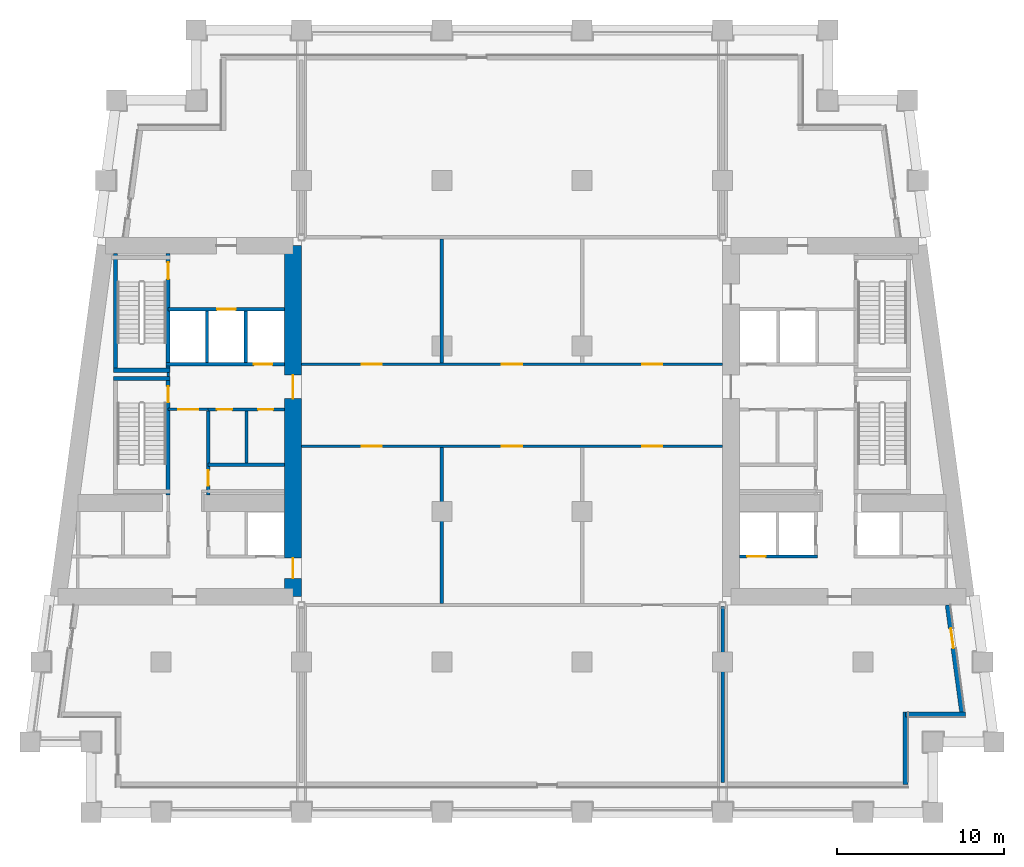
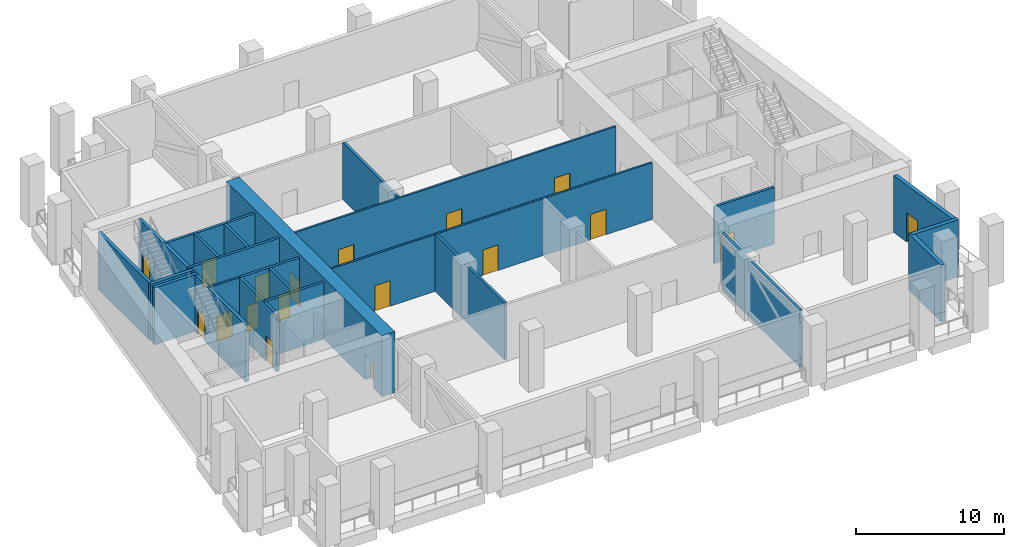
# One storey, part 5 of 11: 25 walls, 18 doors, 18 openings.
"""IFC4 building model written with IfcOpenShell, lengths in metres."""

from ifc_helpers import new_model, si_unit, direction, frame, frame_2d, origin, place, context, subcontext, project, spatial, rectangle, extrude, material, layer, layer_set, type_object, element, fill, save


model = new_model("IFC4")

# Units and contexts
model_context = context("Model", 3, precision=1e-05, world=origin(), true_north=direction((0.0, 1.0)))
body_context = subcontext(model_context, "Body", "Model", "MODEL_VIEW")
ifc_project = project(units=[si_unit("LENGTHUNIT", "METRE"), si_unit("AREAUNIT", "SQUARE_METRE"), si_unit("VOLUMEUNIT", "CUBIC_METRE"), si_unit("PLANEANGLEUNIT", "RADIAN"), si_unit("MASSUNIT", "GRAM", prefix="KILO")], contexts=[model_context])

# Site, building, storey
site_placement = place(None, origin())
site = spatial("IfcSite", under=ifc_project, at=site_placement, CompositionType="ELEMENT")
building_placement = place(site_placement, origin())
building = spatial("IfcBuilding", under=site, at=building_placement, Name="Candeia Pilgrim Tower and Theatre", CompositionType="ELEMENT")
storey_placement = place(building_placement, frame((0.0, 0.0, 142.800048828125)))
storey = spatial("IfcBuildingStorey", under=building, at=storey_placement, Name="L33", CompositionType="ELEMENT", Elevation=142.800048828125)

# Wall, openings, doors
ifc_material_1 = material(Name="Concrete C70/85", Category="concrete")
ifc_layer_1 = layer(ifc_material_1, 1.0)
ifc_layer_set_1 = layer_set([ifc_layer_1], Name="Core wall 1000 C70/85")
wall_type_1 = type_object("IfcWallType", Name="Core wall 1000 C70/85", PredefinedType="SHEAR", material=ifc_layer_set_1)
wall_1_placement = place(storey_placement, frame((100.300048828125, 131.89990234375, 0.0), z_axis=(0.0, 0.0, 1.0), x_axis=(0.0, -1.0, 0.0)))
wall_1 = element("IfcWall", 1, at=wall_1_placement, inside=storey, type_object=wall_type_1, Name="Core wall W2", PredefinedType="SHEAR", context=body_context, shape_type="SweptSolid", body=[
    extrude(rectangle(XDim=21.0, YDim=1.0, at=frame_2d((10.5, 0.0))), origin(), (0.0, 0.0, 1.0), 5.0),
])
opening_1_placement = place(wall_1_placement, frame((18.699951171875, 0.0, 0.0)))
opening_1 = element("IfcOpeningElement", 2, at=opening_1_placement, cuts=wall_1, Name="Opening L33-D029", PredefinedType="OPENING", context=body_context, shape_type="SweptSolid", body=[
    extrude(rectangle(XDim=1.199951171875, YDim=2.10009765625, at=frame_2d((0.60009765625, 1.050048828125))), frame((0.0, 0.510009765625, 0.0), z_axis=(0.0, -1.0, 0.0), x_axis=(1.0, 0.0, 0.0)), (0.0, 0.0, 1.0), 1.02001953125),
])
opening_2_placement = place(wall_1_placement, frame((7.75, 0.0, 0.0)))
opening_2 = element("IfcOpeningElement", 3, at=opening_2_placement, cuts=wall_1, Name="Opening L33-D031", PredefinedType="OPENING", context=body_context, shape_type="SweptSolid", body=[
    extrude(rectangle(XDim=1.39990234375, YDim=2.10009765625, at=frame_2d((0.699951171875, 1.050048828125))), frame((0.0, 0.510009765625, 0.0), z_axis=(0.0, -1.0, 0.0), x_axis=(1.0, 0.0, 0.0)), (0.0, 0.0, 1.0), 1.02001953125),
])
ifc_material_2 = material(Name="Steel fire door set", Category="steel")
door_type_1 = type_object("IfcDoorType", Name="D-1200-FD60", OperationType="NOTDEFINED", PredefinedType="DOOR", material=ifc_material_2)
door_1_placement = place(opening_1_placement, origin())
door_1 = element("IfcDoor", 4, at=door_1_placement, inside=storey, type_object=door_type_1, Name="Door L33-D029", OperationType="SINGLE_SWING_RIGHT", OverallHeight=2.10009765625, OverallWidth=1.199951171875, PredefinedType="DOOR", context=body_context, shape_type="SweptSolid", body=[
    extrude(rectangle(XDim=1.199951171875, YDim=2.10009765625, at=frame_2d((0.60009765625, 1.050048828125))), frame((0.0, 0.02490234375, 0.0), z_axis=(0.0, -1.0, 0.0), x_axis=(1.0, 0.0, 0.0)), (0.0, 0.0, 1.0), 0.050048828125),
])
fill(opening_1, door_1)
door_type_2 = type_object("IfcDoorType", Name="D-1400-FD60", OperationType="NOTDEFINED", PredefinedType="DOOR", material=ifc_material_2)
door_2_placement = place(opening_2_placement, origin())
door_2 = element("IfcDoor", 5, at=door_2_placement, inside=storey, type_object=door_type_2, Name="Door L33-D031", OperationType="SINGLE_SWING_RIGHT", OverallHeight=2.10009765625, OverallWidth=1.39990234375, PredefinedType="DOOR", context=body_context, shape_type="SweptSolid", body=[
    extrude(rectangle(XDim=1.39990234375, YDim=2.10009765625, at=frame_2d((0.699951171875, 1.050048828125))), frame((0.0, 0.02490234375, 0.0), z_axis=(0.0, -1.0, 0.0), x_axis=(1.0, 0.0, 0.0)), (0.0, 0.0, 1.0), 0.050048828125),
])
fill(opening_2, door_2)

# Walls
ifc_material_3 = material(Name="Ceramic block masonry", Category="masonry")
ifc_layer_2 = layer(ifc_material_3, 0.300048828125)
ifc_layer_set_2 = layer_set([ifc_layer_2], Name="EW1 glazing-line wall 300")
wall_type_2 = type_object("IfcWallType", Name="EW1 glazing-line wall 300", PredefinedType="SOLIDWALL", material=ifc_layer_set_2)
wall_2_placement = place(storey_placement, frame((136.949951171875, 99.64990234375, 0.0), z_axis=(0.0, 0.0, 1.0), x_axis=(0.0, 1.0, 0.0)))
element("IfcWall", 6, at=wall_2_placement, inside=storey, type_object=wall_type_2, Name="External wall L33-1.0", PredefinedType="SOLIDWALL", context=body_context, shape_type="SweptSolid", body=[
    extrude(rectangle(XDim=4.35009765625, YDim=0.300048828125, at=frame_2d((2.175048828125, 0.0))), origin(), (0.0, 0.0, 1.0), 4.679931640625),
])
wall_3_placement = place(storey_placement, frame((136.949951171875, 103.85009765625, 0.0), z_axis=(0.0, 0.0, 1.0), x_axis=(1.0, 0.0, 0.0)))
element("IfcWall", 7, at=wall_3_placement, inside=storey, type_object=wall_type_2, Name="External wall L33-2.0", PredefinedType="SOLIDWALL", context=body_context, shape_type="SweptSolid", body=[
    extrude(rectangle(XDim=3.569091796875, YDim=0.300048828125, at=frame_2d((1.78466796875, 0.0))), origin(), (0.0, 0.0, 1.0), 4.679931640625),
])

# Wall, opening, door
wall_4_placement = place(storey_placement, frame((140.34765625, 103.85009765625, 0.0), z_axis=(0.0, 0.0, 1.0), x_axis=(-0.133431549479, 0.991058031401, 0.0)))
wall_4 = element("IfcWall", 8, at=wall_4_placement, inside=storey, type_object=wall_type_2, Name="External wall L33-3.0", PredefinedType="SOLIDWALL", context=body_context, shape_type="SweptSolid", body=[
    extrude(rectangle(XDim=6.60888671875, YDim=0.300048828125, at=frame_2d((3.304443359375, 0.0))), origin(), (0.0, 0.0, 1.0), 4.679931640625),
])
opening_3_placement = place(wall_4_placement, frame((3.990966796875, 0.0, 0.0)))
opening_3 = element("IfcOpeningElement", 9, at=opening_3_placement, cuts=wall_4, Name="Opening L33-ED320", PredefinedType="OPENING", context=body_context, shape_type="SweptSolid", body=[
    extrude(rectangle(XDim=1.199951171875, YDim=2.39990234375, at=frame_2d((0.60009765625, 1.199951171875))), frame((0.0, 0.16015625, 0.0), z_axis=(0.0, -1.0, 0.0), x_axis=(1.0, 0.0, 0.0)), (0.0, 0.0, 1.0), 0.320068359375),
])
ifc_material_4 = material(Name="Aluminium framed glazed door", Category="aluminium")
door_type_3 = type_object("IfcDoorType", Name="Loggia door 1200x2400", OperationType="DOUBLE_DOOR_SINGLE_SWING", PredefinedType="DOOR", material=ifc_material_4)
door_3_placement = place(opening_3_placement, origin())
door_3 = element("IfcDoor", 10, at=door_3_placement, inside=storey, type_object=door_type_3, Name="Loggia door L33-ED320", OperationType="DOUBLE_DOOR_SINGLE_SWING", OverallHeight=2.39990234375, OverallWidth=1.199951171875, PredefinedType="DOOR", context=body_context, shape_type="SweptSolid", body=[
    extrude(rectangle(XDim=1.199951171875, YDim=2.39990234375, at=frame_2d((0.60009765625, 1.199951171875))), frame((0.0, 0.02490234375, 0.0), z_axis=(0.0, -1.0, 0.0), x_axis=(1.0, 0.0, 0.0)), (0.0, 0.0, 1.0), 0.050048828125),
])
fill(opening_3, door_3)

ifc_material_5 = material(Name="Gypsum board partition on steel studs", Category="steel")
ifc_layer_3 = layer(ifc_material_5, 0.14990234375)
ifc_layer_set_3 = layer_set([ifc_layer_3], Name="PW-150 lobby wall")
wall_type_3 = type_object("IfcWallType", Name="PW-150 lobby wall", PredefinedType="PARTITIONING", material=ifc_layer_set_3)
wall_5_placement = place(storey_placement, frame((92.826904296875, 122.10009765625, 0.0), z_axis=(0.0, 0.0, 1.0), x_axis=(1.0, 0.0, 0.0)))
wall_5 = element("IfcWall", 11, at=wall_5_placement, inside=storey, type_object=wall_type_3, Name="Lobby wall L33-017", PredefinedType="PARTITIONING", context=body_context, shape_type="SweptSolid", body=[
    extrude(rectangle(XDim=2.400146484375, YDim=0.14990234375, at=frame_2d((1.2001953125, 0.0))), origin(), (0.0, 0.0, 1.0), 4.679931640625),
])
opening_4_placement = place(wall_5_placement, frame((0.60009765625, 0.0, 0.0)))
opening_4 = element("IfcOpeningElement", 12, at=opening_4_placement, cuts=wall_5, Name="Opening L33-D009", PredefinedType="OPENING", context=body_context, shape_type="SweptSolid", body=[
    extrude(rectangle(XDim=1.199951171875, YDim=2.10009765625, at=frame_2d((0.60009765625, 1.050048828125))), frame((0.0, 0.0849609375, 0.0), z_axis=(0.0, -1.0, 0.0), x_axis=(1.0, 0.0, 0.0)), (0.0, 0.0, 1.0), 0.169921875),
])
door_4_placement = place(opening_4_placement, origin())
door_4 = element("IfcDoor", 13, at=door_4_placement, inside=storey, type_object=door_type_1, Name="Door L33-D009", OperationType="SINGLE_SWING_RIGHT", OverallHeight=2.10009765625, OverallWidth=1.199951171875, PredefinedType="DOOR", context=body_context, shape_type="SweptSolid", body=[
    extrude(rectangle(XDim=1.199951171875, YDim=2.10009765625, at=frame_2d((0.60009765625, 1.050048828125))), frame((0.0, 0.02490234375, 0.0), z_axis=(0.0, -1.0, 0.0), x_axis=(1.0, 0.0, 0.0)), (0.0, 0.0, 1.0), 0.050048828125),
])
fill(opening_4, door_4)

# Wall
wall_6_placement = place(storey_placement, frame((92.826904296875, 124.074951171875, 0.0), z_axis=(0.0, 0.0, 1.0), x_axis=(0.0, 1.0, 0.0)))
element("IfcWall", 14, at=wall_6_placement, inside=storey, type_object=wall_type_3, Name="Lobby wall L33-040", PredefinedType="PARTITIONING", context=body_context, shape_type="SweptSolid", body=[
    extrude(rectangle(XDim=0.25, YDim=0.14990234375, at=frame_2d((0.125, 0.0))), origin(), (0.0, 0.0, 1.0), 4.679931640625),
])

# Wall, openings, doors
ifc_layer_4 = layer(ifc_material_5, 0.14990234375)
ifc_layer_set_4 = layer_set([ifc_layer_4], Name="PW-150 unit wall")
wall_type_4 = type_object("IfcWallType", Name="PW-150 unit wall", PredefinedType="PARTITIONING", material=ifc_layer_set_4)
wall_7_placement = place(storey_placement, frame((100.800048828125, 119.89990234375, 0.0), z_axis=(0.0, 0.0, 1.0), x_axis=(1.0, 0.0, 0.0)))
wall_7 = element("IfcWall", 15, at=wall_7_placement, inside=storey, type_object=wall_type_4, Name="Unit wall L33-014", PredefinedType="PARTITIONING", context=body_context, shape_type="SweptSolid", body=[
    extrude(rectangle(XDim=25.199951171875, YDim=0.14990234375, at=frame_2d((12.60009765625, 0.0))), origin(), (0.0, 0.0, 1.0), 4.679931640625),
])
opening_5_placement = place(wall_7_placement, frame((3.60009765625, 0.0, 0.0)))
opening_5 = element("IfcOpeningElement", 16, at=opening_5_placement, cuts=wall_7, Name="Opening L33-D001", PredefinedType="OPENING", context=body_context, shape_type="SweptSolid", body=[
    extrude(rectangle(XDim=1.199951171875, YDim=2.10009765625, at=frame_2d((0.60009765625, 1.050048828125))), frame((0.0, 0.0849609375, 0.0), z_axis=(0.0, -1.0, 0.0), x_axis=(1.0, 0.0, 0.0)), (0.0, 0.0, 1.0), 0.169921875),
])
opening_6_placement = place(wall_7_placement, frame((12.0, 0.0, 0.0)))
opening_6 = element("IfcOpeningElement", 17, at=opening_6_placement, cuts=wall_7, Name="Opening L33-D003", PredefinedType="OPENING", context=body_context, shape_type="SweptSolid", body=[
    extrude(rectangle(XDim=1.199951171875, YDim=2.10009765625, at=frame_2d((0.60009765625, 1.050048828125))), frame((0.0, 0.0849609375, 0.0), z_axis=(0.0, -1.0, 0.0), x_axis=(1.0, 0.0, 0.0)), (0.0, 0.0, 1.0), 0.169921875),
])
opening_7_placement = place(wall_7_placement, frame((20.39990234375, 0.0, 0.0)))
opening_7 = element("IfcOpeningElement", 18, at=opening_7_placement, cuts=wall_7, Name="Opening L33-D005", PredefinedType="OPENING", context=body_context, shape_type="SweptSolid", body=[
    extrude(rectangle(XDim=1.199951171875, YDim=2.10009765625, at=frame_2d((0.60009765625, 1.050048828125))), frame((0.0, 0.0849609375, 0.0), z_axis=(0.0, -1.0, 0.0), x_axis=(1.0, 0.0, 0.0)), (0.0, 0.0, 1.0), 0.169921875),
])
door_5_placement = place(opening_5_placement, origin())
door_5 = element("IfcDoor", 19, at=door_5_placement, inside=storey, type_object=door_type_1, Name="Door L33-D001", OperationType="SINGLE_SWING_RIGHT", OverallHeight=2.10009765625, OverallWidth=1.199951171875, PredefinedType="DOOR", context=body_context, shape_type="SweptSolid", body=[
    extrude(rectangle(XDim=1.199951171875, YDim=2.10009765625, at=frame_2d((0.60009765625, 1.050048828125))), frame((0.0, 0.02490234375, 0.0), z_axis=(0.0, -1.0, 0.0), x_axis=(1.0, 0.0, 0.0)), (0.0, 0.0, 1.0), 0.050048828125),
])
fill(opening_5, door_5)
door_6_placement = place(opening_6_placement, origin())
door_6 = element("IfcDoor", 20, at=door_6_placement, inside=storey, type_object=door_type_1, Name="Door L33-D003", OperationType="SINGLE_SWING_RIGHT", OverallHeight=2.10009765625, OverallWidth=1.199951171875, PredefinedType="DOOR", context=body_context, shape_type="SweptSolid", body=[
    extrude(rectangle(XDim=1.199951171875, YDim=2.10009765625, at=frame_2d((0.60009765625, 1.050048828125))), frame((0.0, 0.02490234375, 0.0), z_axis=(0.0, -1.0, 0.0), x_axis=(1.0, 0.0, 0.0)), (0.0, 0.0, 1.0), 0.050048828125),
])
fill(opening_6, door_6)
door_7_placement = place(opening_7_placement, origin())
door_7 = element("IfcDoor", 21, at=door_7_placement, inside=storey, type_object=door_type_1, Name="Door L33-D005", OperationType="SINGLE_SWING_RIGHT", OverallHeight=2.10009765625, OverallWidth=1.199951171875, PredefinedType="DOOR", context=body_context, shape_type="SweptSolid", body=[
    extrude(rectangle(XDim=1.199951171875, YDim=2.10009765625, at=frame_2d((0.60009765625, 1.050048828125))), frame((0.0, 0.02490234375, 0.0), z_axis=(0.0, -1.0, 0.0), x_axis=(1.0, 0.0, 0.0)), (0.0, 0.0, 1.0), 0.050048828125),
])
fill(opening_7, door_7)

wall_8_placement = place(storey_placement, frame((100.800048828125, 124.800048828125, 0.0), z_axis=(0.0, 0.0, 1.0), x_axis=(1.0, 0.0, 0.0)))
wall_8 = element("IfcWall", 22, at=wall_8_placement, inside=storey, type_object=wall_type_4, Name="Unit wall L33-026", PredefinedType="PARTITIONING", context=body_context, shape_type="SweptSolid", body=[
    extrude(rectangle(XDim=25.199951171875, YDim=0.14990234375, at=frame_2d((12.60009765625, 0.0))), origin(), (0.0, 0.0, 1.0), 4.679931640625),
])
opening_8_placement = place(wall_8_placement, frame((3.60009765625, 0.0, 0.0)))
opening_8 = element("IfcOpeningElement", 23, at=opening_8_placement, cuts=wall_8, Name="Opening L33-D002", PredefinedType="OPENING", context=body_context, shape_type="SweptSolid", body=[
    extrude(rectangle(XDim=1.199951171875, YDim=2.10009765625, at=frame_2d((0.60009765625, 1.050048828125))), frame((0.0, 0.0849609375, 0.0), z_axis=(0.0, -1.0, 0.0), x_axis=(1.0, 0.0, 0.0)), (0.0, 0.0, 1.0), 0.169921875),
])
opening_9_placement = place(wall_8_placement, frame((12.0, 0.0, 0.0)))
opening_9 = element("IfcOpeningElement", 24, at=opening_9_placement, cuts=wall_8, Name="Opening L33-D004", PredefinedType="OPENING", context=body_context, shape_type="SweptSolid", body=[
    extrude(rectangle(XDim=1.199951171875, YDim=2.10009765625, at=frame_2d((0.60009765625, 1.050048828125))), frame((0.0, 0.0849609375, 0.0), z_axis=(0.0, -1.0, 0.0), x_axis=(1.0, 0.0, 0.0)), (0.0, 0.0, 1.0), 0.169921875),
])
opening_10_placement = place(wall_8_placement, frame((20.39990234375, 0.0, 0.0)))
opening_10 = element("IfcOpeningElement", 25, at=opening_10_placement, cuts=wall_8, Name="Opening L33-D006", PredefinedType="OPENING", context=body_context, shape_type="SweptSolid", body=[
    extrude(rectangle(XDim=1.199951171875, YDim=2.10009765625, at=frame_2d((0.60009765625, 1.050048828125))), frame((0.0, 0.0849609375, 0.0), z_axis=(0.0, -1.0, 0.0), x_axis=(1.0, 0.0, 0.0)), (0.0, 0.0, 1.0), 0.169921875),
])
door_8_placement = place(opening_8_placement, origin())
door_8 = element("IfcDoor", 26, at=door_8_placement, inside=storey, type_object=door_type_1, Name="Door L33-D002", OperationType="SINGLE_SWING_LEFT", OverallHeight=2.10009765625, OverallWidth=1.199951171875, PredefinedType="DOOR", context=body_context, shape_type="SweptSolid", body=[
    extrude(rectangle(XDim=1.199951171875, YDim=2.10009765625, at=frame_2d((0.60009765625, 1.050048828125))), frame((0.0, 0.02490234375, 0.0), z_axis=(0.0, -1.0, 0.0), x_axis=(1.0, 0.0, 0.0)), (0.0, 0.0, 1.0), 0.050048828125),
])
fill(opening_8, door_8)
door_9_placement = place(opening_9_placement, origin())
door_9 = element("IfcDoor", 27, at=door_9_placement, inside=storey, type_object=door_type_1, Name="Door L33-D004", OperationType="SINGLE_SWING_LEFT", OverallHeight=2.10009765625, OverallWidth=1.199951171875, PredefinedType="DOOR", context=body_context, shape_type="SweptSolid", body=[
    extrude(rectangle(XDim=1.199951171875, YDim=2.10009765625, at=frame_2d((0.60009765625, 1.050048828125))), frame((0.0, 0.02490234375, 0.0), z_axis=(0.0, -1.0, 0.0), x_axis=(1.0, 0.0, 0.0)), (0.0, 0.0, 1.0), 0.050048828125),
])
fill(opening_9, door_9)
door_10_placement = place(opening_10_placement, origin())
door_10 = element("IfcDoor", 28, at=door_10_placement, inside=storey, type_object=door_type_1, Name="Door L33-D006", OperationType="SINGLE_SWING_LEFT", OverallHeight=2.10009765625, OverallWidth=1.199951171875, PredefinedType="DOOR", context=body_context, shape_type="SweptSolid", body=[
    extrude(rectangle(XDim=1.199951171875, YDim=2.10009765625, at=frame_2d((0.60009765625, 1.050048828125))), frame((0.0, 0.02490234375, 0.0), z_axis=(0.0, -1.0, 0.0), x_axis=(1.0, 0.0, 0.0)), (0.0, 0.0, 1.0), 0.050048828125),
])
fill(opening_10, door_10)

# Walls
ifc_layer_5 = layer(ifc_material_5, 0.199951171875)
ifc_layer_set_5 = layer_set([ifc_layer_5], Name="PW-200 party wall")
wall_type_5 = type_object("IfcWallType", Name="PW-200 party wall", PredefinedType="PARTITIONING", material=ifc_layer_set_5)
wall_9_placement = place(storey_placement, frame((109.199951171875, 110.5, 0.0), z_axis=(0.0, 0.0, 1.0), x_axis=(0.0, 1.0, 0.0)))
element("IfcWall", 29, at=wall_9_placement, inside=storey, type_object=wall_type_5, Name="Party wall L33-052", PredefinedType="PARTITIONING", context=body_context, shape_type="SweptSolid", body=[
    extrude(rectangle(XDim=9.324951171875, YDim=0.199951171875, at=frame_2d((4.66259765625, 0.0))), origin(), (0.0, 0.0, 1.0), 4.679931640625),
])
wall_10_placement = place(storey_placement, frame((109.199951171875, 124.875, 0.0), z_axis=(0.0, 0.0, 1.0), x_axis=(0.0, 1.0, 0.0)))
element("IfcWall", 30, at=wall_10_placement, inside=storey, type_object=wall_type_5, Name="Party wall L33-053", PredefinedType="PARTITIONING", context=body_context, shape_type="SweptSolid", body=[
    extrude(rectangle(XDim=7.425048828125, YDim=0.199951171875, at=frame_2d((3.71240234375, 0.0))), origin(), (0.0, 0.0, 1.0), 4.679931640625),
])
wall_11_placement = place(storey_placement, frame((126.0, 99.7900390625, 0.0), z_axis=(0.0, 0.0, 1.0), x_axis=(0.0, 1.0, 0.0)))
element("IfcWall", 31, at=wall_11_placement, inside=storey, type_object=wall_type_5, Name="Party wall L33-056", PredefinedType="PARTITIONING", context=body_context, shape_type="SweptSolid", body=[
    extrude(rectangle(XDim=10.510009765625, YDim=0.199951171875, at=frame_2d((5.2548828125, 0.0))), origin(), (0.0, 0.0, 1.0), 4.679931640625),
])

# Wall, opening, door
ifc_material_6 = material(Name="Concrete C40/50", Category="concrete")
ifc_layer_6 = layer(ifc_material_6, 0.199951171875)
ifc_layer_set_6 = layer_set([ifc_layer_6], Name="SW-200 shaft wall")
wall_type_6 = type_object("IfcWallType", Name="SW-200 shaft wall", PredefinedType="PARTITIONING", material=ifc_layer_set_6)
wall_12_placement = place(storey_placement, frame((127.0, 113.300048828125, 0.0), z_axis=(0.0, 0.0, 1.0), x_axis=(1.0, 0.0, 0.0)))
wall_12 = element("IfcWall", 32, at=wall_12_placement, inside=storey, type_object=wall_type_6, Name="Shaft wall L33-004", PredefinedType="PARTITIONING", context=body_context, shape_type="SweptSolid", body=[
    extrude(rectangle(XDim=4.673095703125, YDim=0.199951171875, at=frame_2d((2.33642578125, 0.0))), origin(), (0.0, 0.0, 1.0), 4.679931640625),
])
opening_11_placement = place(wall_12_placement, frame((0.471923828125, 0.0, 0.0)))
opening_11 = element("IfcOpeningElement", 33, at=opening_11_placement, cuts=wall_12, Name="Opening L33-LD08", PredefinedType="OPENING", context=body_context, shape_type="SweptSolid", body=[
    extrude(rectangle(XDim=1.10009765625, YDim=2.10009765625, at=frame_2d((0.550048828125, 1.050048828125))), frame((0.0, 0.10986328125, 0.0), z_axis=(0.0, -1.0, 0.0), x_axis=(1.0, 0.0, 0.0)), (0.0, 0.0, 1.0), 0.219970703125),
])
ifc_material_7 = material(Name="Glazed aluminium landing door", Category="aluminium")
door_type_4 = type_object("IfcDoorType", Name="LD-1100-EI120", OperationType="SLIDING_TO_LEFT", PredefinedType="DOOR", material=ifc_material_7)
door_11_placement = place(opening_11_placement, origin())
door_11 = element("IfcDoor", 34, at=door_11_placement, inside=storey, type_object=door_type_4, Name="Landing door 08 L33", OperationType="SLIDING_TO_LEFT", OverallHeight=2.10009765625, OverallWidth=1.10009765625, PredefinedType="DOOR", context=body_context, shape_type="SweptSolid", body=[
    extrude(rectangle(XDim=1.10009765625, YDim=2.10009765625, at=frame_2d((0.550048828125, 1.050048828125))), frame((0.0, 0.02490234375, 0.0), z_axis=(0.0, -1.0, 0.0), x_axis=(1.0, 0.0, 0.0)), (0.0, 0.0, 1.0), 0.050048828125),
])
fill(opening_11, door_11)

# Wall
wall_13_placement = place(storey_placement, frame((95.22705078125, 118.800048828125, 0.0), z_axis=(0.0, 0.0, 1.0), x_axis=(1.0, 0.0, 0.0)))
element("IfcWall", 35, at=wall_13_placement, inside=storey, type_object=wall_type_6, Name="Shaft wall L33-012", PredefinedType="PARTITIONING", context=body_context, shape_type="SweptSolid", body=[
    extrude(rectangle(XDim=4.572998046875, YDim=0.199951171875, at=frame_2d((2.28662109375, 0.0))), origin(), (0.0, 0.0, 1.0), 4.679931640625),
])

# Wall, openings, doors
wall_14_placement = place(storey_placement, frame((95.22705078125, 122.10009765625, 0.0), z_axis=(0.0, 0.0, 1.0), x_axis=(1.0, 0.0, 0.0)))
wall_14 = element("IfcWall", 36, at=wall_14_placement, inside=storey, type_object=wall_type_6, Name="Shaft wall L33-015", PredefinedType="PARTITIONING", context=body_context, shape_type="SweptSolid", body=[
    extrude(rectangle(XDim=4.572998046875, YDim=0.199951171875, at=frame_2d((2.28662109375, 0.0))), origin(), (0.0, 0.0, 1.0), 4.679931640625),
])
opening_12_placement = place(wall_14_placement, frame((0.52197265625, 0.0, 0.0)))
opening_12 = element("IfcOpeningElement", 37, at=opening_12_placement, cuts=wall_14, Name="Opening L33-D010", PredefinedType="OPENING", context=body_context, shape_type="SweptSolid", body=[
    extrude(rectangle(XDim=0.89990234375, YDim=2.10009765625, at=frame_2d((0.449951171875, 1.050048828125))), frame((0.0, 0.10986328125, 0.0), z_axis=(0.0, -1.0, 0.0), x_axis=(1.0, 0.0, 0.0)), (0.0, 0.0, 1.0), 0.219970703125),
])
opening_13_placement = place(wall_14_placement, frame((2.97998046875, 0.0, 0.0)))
opening_13 = element("IfcOpeningElement", 38, at=opening_13_placement, cuts=wall_14, Name="Opening L33-D011", PredefinedType="OPENING", context=body_context, shape_type="SweptSolid", body=[
    extrude(rectangle(XDim=0.89990234375, YDim=2.10009765625, at=frame_2d((0.449951171875, 1.050048828125))), frame((0.0, 0.10986328125, 0.0), z_axis=(0.0, -1.0, 0.0), x_axis=(1.0, 0.0, 0.0)), (0.0, 0.0, 1.0), 0.219970703125),
])
door_type_5 = type_object("IfcDoorType", Name="D-900-FD60", OperationType="NOTDEFINED", PredefinedType="DOOR", material=ifc_material_2)
door_12_placement = place(opening_12_placement, origin())
door_12 = element("IfcDoor", 39, at=door_12_placement, inside=storey, type_object=door_type_5, Name="Door L33-D010", OperationType="SINGLE_SWING_LEFT", OverallHeight=2.10009765625, OverallWidth=0.89990234375, PredefinedType="DOOR", context=body_context, shape_type="SweptSolid", body=[
    extrude(rectangle(XDim=0.89990234375, YDim=2.10009765625, at=frame_2d((0.449951171875, 1.050048828125))), frame((0.0, 0.02490234375, 0.0), z_axis=(0.0, -1.0, 0.0), x_axis=(1.0, 0.0, 0.0)), (0.0, 0.0, 1.0), 0.050048828125),
])
fill(opening_12, door_12)
door_13_placement = place(opening_13_placement, origin())
door_13 = element("IfcDoor", 40, at=door_13_placement, inside=storey, type_object=door_type_5, Name="Door L33-D011", OperationType="SINGLE_SWING_RIGHT", OverallHeight=2.10009765625, OverallWidth=0.89990234375, PredefinedType="DOOR", context=body_context, shape_type="SweptSolid", body=[
    extrude(rectangle(XDim=0.89990234375, YDim=2.10009765625, at=frame_2d((0.449951171875, 1.050048828125))), frame((0.0, 0.02490234375, 0.0), z_axis=(0.0, -1.0, 0.0), x_axis=(1.0, 0.0, 0.0)), (0.0, 0.0, 1.0), 0.050048828125),
])
fill(opening_13, door_13)

# Wall, opening, door
wall_15_placement = place(storey_placement, frame((92.701904296875, 124.800048828125, 0.0), z_axis=(0.0, 0.0, 1.0), x_axis=(1.0, 0.0, 0.0)))
wall_15 = element("IfcWall", 41, at=wall_15_placement, inside=storey, type_object=wall_type_6, Name="Shaft wall L33-023", PredefinedType="PARTITIONING", context=body_context, shape_type="SweptSolid", body=[
    extrude(rectangle(XDim=7.09814453125, YDim=0.199951171875, at=frame_2d((3.549072265625, 0.0))), origin(), (0.0, 0.0, 1.0), 4.679931640625),
])
opening_14_placement = place(wall_15_placement, frame((5.2548828125, 0.0, 0.0)))
opening_14 = element("IfcOpeningElement", 42, at=opening_14_placement, cuts=wall_15, Name="Opening L33-LD02", PredefinedType="OPENING", context=body_context, shape_type="SweptSolid", body=[
    extrude(rectangle(XDim=1.10009765625, YDim=2.10009765625, at=frame_2d((0.550048828125, 1.050048828125))), frame((0.0, 0.10986328125, 0.0), z_axis=(0.0, -1.0, 0.0), x_axis=(1.0, 0.0, 0.0)), (0.0, 0.0, 1.0), 0.219970703125),
])
door_14_placement = place(opening_14_placement, origin())
door_14 = element("IfcDoor", 43, at=door_14_placement, inside=storey, type_object=door_type_4, Name="Landing door 02 L33", OperationType="SLIDING_TO_LEFT", OverallHeight=2.10009765625, OverallWidth=1.10009765625, PredefinedType="DOOR", context=body_context, shape_type="SweptSolid", body=[
    extrude(rectangle(XDim=1.10009765625, YDim=2.10009765625, at=frame_2d((0.550048828125, 1.050048828125))), frame((0.0, 0.02490234375, 0.0), z_axis=(0.0, -1.0, 0.0), x_axis=(1.0, 0.0, 0.0)), (0.0, 0.0, 1.0), 0.050048828125),
])
fill(opening_14, door_14)

wall_16_placement = place(storey_placement, frame((92.826904296875, 128.10009765625, 0.0), z_axis=(0.0, 0.0, 1.0), x_axis=(1.0, 0.0, 0.0)))
wall_16 = element("IfcWall", 44, at=wall_16_placement, inside=storey, type_object=wall_type_6, Name="Shaft wall L33-027", PredefinedType="PARTITIONING", context=body_context, shape_type="SweptSolid", body=[
    extrude(rectangle(XDim=6.97314453125, YDim=0.199951171875, at=frame_2d((3.486572265625, 0.0))), origin(), (0.0, 0.0, 1.0), 4.679931640625),
])
opening_15_placement = place(wall_16_placement, frame((2.93701171875, 0.0, 0.0)))
opening_15 = element("IfcOpeningElement", 45, at=opening_15_placement, cuts=wall_16, Name="Opening L33-LD01", PredefinedType="OPENING", context=body_context, shape_type="SweptSolid", body=[
    extrude(rectangle(XDim=1.10009765625, YDim=2.10009765625, at=frame_2d((0.550048828125, 1.050048828125))), frame((0.0, 0.10986328125, 0.0), z_axis=(0.0, -1.0, 0.0), x_axis=(1.0, 0.0, 0.0)), (0.0, 0.0, 1.0), 0.219970703125),
])
door_15_placement = place(opening_15_placement, origin())
door_15 = element("IfcDoor", 46, at=door_15_placement, inside=storey, type_object=door_type_4, Name="Landing door 01 L33", OperationType="SLIDING_TO_LEFT", OverallHeight=2.10009765625, OverallWidth=1.10009765625, PredefinedType="DOOR", context=body_context, shape_type="SweptSolid", body=[
    extrude(rectangle(XDim=1.10009765625, YDim=2.10009765625, at=frame_2d((0.550048828125, 1.050048828125))), frame((0.0, 0.02490234375, 0.0), z_axis=(0.0, -1.0, 0.0), x_axis=(1.0, 0.0, 0.0)), (0.0, 0.0, 1.0), 0.050048828125),
])
fill(opening_15, door_15)

# Wall
wall_17_placement = place(storey_placement, frame((95.1513671875, 124.89990234375, 0.0), z_axis=(0.0, 0.0, 1.0), x_axis=(0.0, 1.0, 0.0)))
element("IfcWall", 47, at=wall_17_placement, inside=storey, type_object=wall_type_6, Name="Shaft wall L33-044", PredefinedType="PARTITIONING", context=body_context, shape_type="SweptSolid", body=[
    extrude(rectangle(XDim=3.10009765625, YDim=0.199951171875, at=frame_2d((1.550048828125, 0.0))), origin(), (0.0, 0.0, 1.0), 4.679931640625),
])

# Wall, opening, door
wall_18_placement = place(storey_placement, frame((95.22705078125, 116.969970703125, 0.0), z_axis=(0.0, 0.0, 1.0), x_axis=(0.0, 1.0, 0.0)))
wall_18 = element("IfcWall", 48, at=wall_18_placement, inside=storey, type_object=wall_type_6, Name="Shaft wall L33-046", PredefinedType="PARTITIONING", context=body_context, shape_type="SweptSolid", body=[
    extrude(rectangle(XDim=5.030029296875, YDim=0.199951171875, at=frame_2d((2.51513671875, 0.0))), origin(), (0.0, 0.0, 1.0), 4.679931640625),
])
opening_16_placement = place(wall_18_placement, frame((0.580078125, 0.0, 0.0)))
opening_16 = element("IfcOpeningElement", 49, at=opening_16_placement, cuts=wall_18, Name="Opening L33-D014", PredefinedType="OPENING", context=body_context, shape_type="SweptSolid", body=[
    extrude(rectangle(XDim=0.89990234375, YDim=2.10009765625, at=frame_2d((0.449951171875, 1.050048828125))), frame((0.0, 0.10986328125, 0.0), z_axis=(0.0, -1.0, 0.0), x_axis=(1.0, 0.0, 0.0)), (0.0, 0.0, 1.0), 0.219970703125),
])
door_16_placement = place(opening_16_placement, origin())
door_16 = element("IfcDoor", 50, at=door_16_placement, inside=storey, type_object=door_type_5, Name="Door L33-D014", OperationType="SINGLE_SWING_LEFT", OverallHeight=2.10009765625, OverallWidth=0.89990234375, PredefinedType="DOOR", context=body_context, shape_type="SweptSolid", body=[
    extrude(rectangle(XDim=0.89990234375, YDim=2.10009765625, at=frame_2d((0.449951171875, 1.050048828125))), frame((0.0, 0.02490234375, 0.0), z_axis=(0.0, -1.0, 0.0), x_axis=(1.0, 0.0, 0.0)), (0.0, 0.0, 1.0), 0.050048828125),
])
fill(opening_16, door_16)

# Walls
for number, where, z_axis, x_axis, name in (
    (51, (97.4755859375, 124.89990234375, 0.0), (0.0, 0.0, 1.0), (0.0, 1.0, 0.0), "Shaft wall L33-047"),
    (52, (97.513427734375, 118.89990234375, 0.0), (0.0, 0.0, 1.0), (0.0, 1.0, 0.0), "Shaft wall L33-049"),
):
    element("IfcWall", number, at=place(storey_placement, frame(where, z_axis=z_axis, x_axis=x_axis)), inside=storey, type_object=wall_type_6, Name=name, PredefinedType="PARTITIONING", context=body_context, shape_type="SweptSolid", body=[
        extrude(rectangle(XDim=3.10009765625, YDim=0.199951171875, at=frame_2d((1.550048828125, 0.0))), origin(), (0.0, 0.0, 1.0), 4.679931640625),
    ])
ifc_layer_7 = layer(ifc_material_6, 0.25)
ifc_layer_set_7 = layer_set([ifc_layer_7], Name="SW-250 stair wall")
wall_type_7 = type_object("IfcWallType", Name="SW-250 stair wall", PredefinedType="PARTITIONING", material=ifc_layer_set_7)
for number, where, z_axis, x_axis, name in (
    (53, (89.552001953125, 123.949951171875, 0.0), (0.0, 0.0, 1.0), (1.0, 0.0, 0.0), "Stair wall L33-019"),
    (54, (89.552001953125, 124.449951171875, 0.0), (0.0, 0.0, 1.0), (1.0, 0.0, 0.0), "Stair wall L33-021"),
):
    element("IfcWall", number, at=place(storey_placement, frame(where, z_axis=z_axis, x_axis=x_axis)), inside=storey, type_object=wall_type_7, Name=name, PredefinedType="PARTITIONING", context=body_context, shape_type="SweptSolid", body=[
        extrude(rectangle(XDim=3.39990234375, YDim=0.25, at=frame_2d((1.699951171875, 0.0))), origin(), (0.0, 0.0, 1.0), 4.679931640625),
    ])
wall_19_placement = place(storey_placement, frame((89.677001953125, 124.574951171875, 0.0), z_axis=(0.0, 0.0, 1.0), x_axis=(0.0, 1.0, 0.0)))
element("IfcWall", 55, at=wall_19_placement, inside=storey, type_object=wall_type_7, Name="Stair wall L33-036", PredefinedType="PARTITIONING", context=body_context, shape_type="SweptSolid", body=[
    extrude(rectangle(XDim=6.85498046875, YDim=0.25, at=frame_2d((3.427490234375, 0.0))), origin(), (0.0, 0.0, 1.0), 4.679931640625),
])

# Wall, opening, door
wall_20_placement = place(storey_placement, frame((92.826904296875, 116.969970703125, 0.0), z_axis=(0.0, 0.0, 1.0), x_axis=(0.0, 1.0, 0.0)))
wall_20 = element("IfcWall", 56, at=wall_20_placement, inside=storey, type_object=wall_type_7, Name="Stair wall L33-041", PredefinedType="PARTITIONING", context=body_context, shape_type="SweptSolid", body=[
    extrude(rectangle(XDim=6.85498046875, YDim=0.25, at=frame_2d((3.427490234375, 0.0))), origin(), (0.0, 0.0, 1.0), 4.679931640625),
])
opening_17_placement = place(wall_20_placement, frame((5.554931640625, 0.0, 0.0)))
opening_17 = element("IfcOpeningElement", 57, at=opening_17_placement, cuts=wall_20, Name="Opening L33-D012", PredefinedType="OPENING", context=body_context, shape_type="SweptSolid", body=[
    extrude(rectangle(XDim=0.949951171875, YDim=2.10009765625, at=frame_2d((0.47509765625, 1.050048828125))), frame((0.0, 0.135009765625, 0.0), z_axis=(0.0, -1.0, 0.0), x_axis=(1.0, 0.0, 0.0)), (0.0, 0.0, 1.0), 0.27001953125),
])
door_type_6 = type_object("IfcDoorType", Name="D-950-FD60", OperationType="NOTDEFINED", PredefinedType="DOOR", material=ifc_material_2)
door_17_placement = place(opening_17_placement, origin())
door_17 = element("IfcDoor", 58, at=door_17_placement, inside=storey, type_object=door_type_6, Name="Door L33-D012", OperationType="SINGLE_SWING_LEFT", OverallHeight=2.10009765625, OverallWidth=0.949951171875, PredefinedType="DOOR", context=body_context, shape_type="SweptSolid", body=[
    extrude(rectangle(XDim=0.949951171875, YDim=2.10009765625, at=frame_2d((0.47509765625, 1.050048828125))), frame((0.0, 0.02490234375, 0.0), z_axis=(0.0, -1.0, 0.0), x_axis=(1.0, 0.0, 0.0)), (0.0, 0.0, 1.0), 0.050048828125),
])
fill(opening_17, door_17)

wall_21_placement = place(storey_placement, frame((92.826904296875, 124.574951171875, 0.0), z_axis=(0.0, 0.0, 1.0), x_axis=(0.0, 1.0, 0.0)))
wall_21 = element("IfcWall", 59, at=wall_21_placement, inside=storey, type_object=wall_type_7, Name="Stair wall L33-042", PredefinedType="PARTITIONING", context=body_context, shape_type="SweptSolid", body=[
    extrude(rectangle(XDim=6.85498046875, YDim=0.25, at=frame_2d((3.427490234375, 0.0))), origin(), (0.0, 0.0, 1.0), 4.679931640625),
])
opening_18_placement = place(wall_21_placement, frame((5.324951171875, 0.0, 0.0)))
opening_18 = element("IfcOpeningElement", 60, at=opening_18_placement, cuts=wall_21, Name="Opening L33-D013", PredefinedType="OPENING", context=body_context, shape_type="SweptSolid", body=[
    extrude(rectangle(XDim=1.0, YDim=2.10009765625, at=frame_2d((0.5, 1.050048828125))), frame((0.0, 0.135009765625, 0.0), z_axis=(0.0, -1.0, 0.0), x_axis=(1.0, 0.0, 0.0)), (0.0, 0.0, 1.0), 0.27001953125),
])
door_type_7 = type_object("IfcDoorType", Name="D-1000-FD60", OperationType="NOTDEFINED", PredefinedType="DOOR", material=ifc_material_2)
door_18_placement = place(opening_18_placement, origin())
door_18 = element("IfcDoor", 61, at=door_18_placement, inside=storey, type_object=door_type_7, Name="Door L33-D013", OperationType="SINGLE_SWING_RIGHT", OverallHeight=2.10009765625, OverallWidth=1.0, PredefinedType="DOOR", context=body_context, shape_type="SweptSolid", body=[
    extrude(rectangle(XDim=1.0, YDim=2.10009765625, at=frame_2d((0.5, 1.050048828125))), frame((0.0, 0.02490234375, 0.0), z_axis=(0.0, -1.0, 0.0), x_axis=(1.0, 0.0, 0.0)), (0.0, 0.0, 1.0), 0.050048828125),
])
fill(opening_18, door_18)

save(model, "model.ifc")
